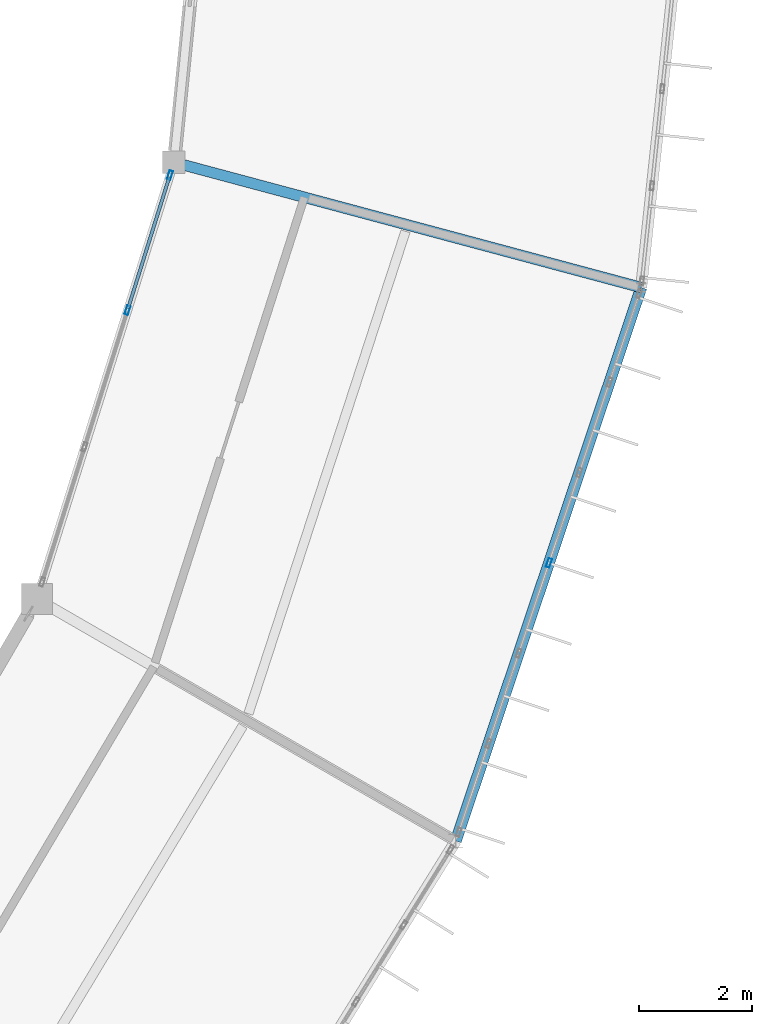
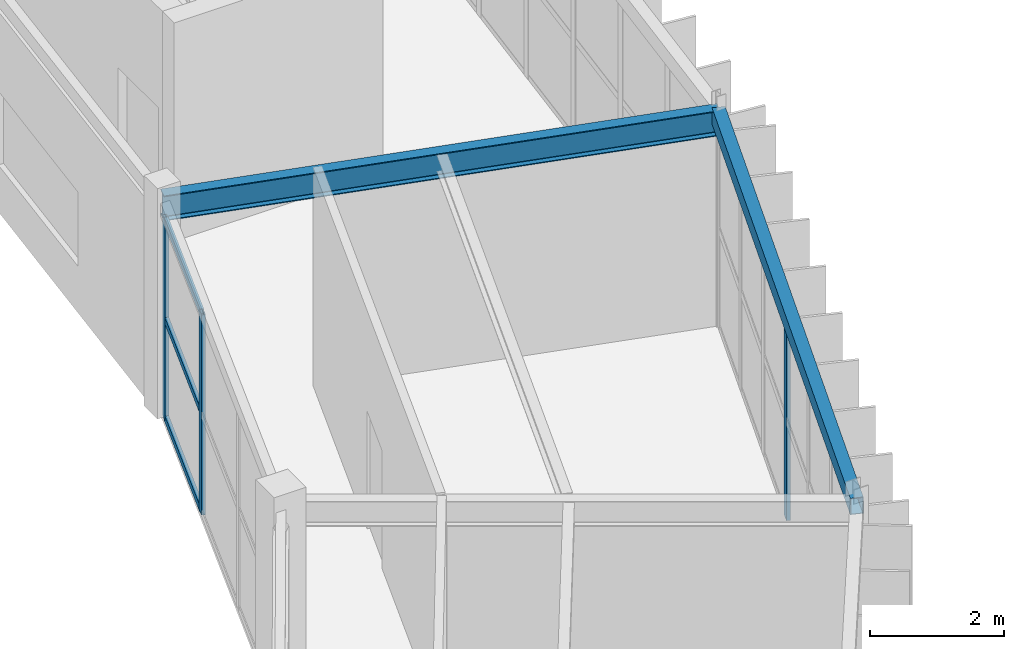
# One storey, part 70 of 157: 6 members, 2 beams, 2 elements without a shape of their own.
"""IFC4 building model written with IfcOpenShell, lengths in metres."""

from ifc_helpers import new_model, si_unit, direction, frame, origin, origin_2d, place, context, subcontext, project, spatial, hollow_rectangle, i_section, extrude, material, material_profile, profile_set, type_object, element, aggregate, save


model = new_model("IFC4")

# Units and contexts
model_context = context("Model", 3, precision=1e-05, world=origin(), true_north=direction((0.0, 1.0)))
body_context = subcontext(model_context, "Body", "Model", "MODEL_VIEW")
ifc_project = project(units=[si_unit("LENGTHUNIT", "METRE"), si_unit("AREAUNIT", "SQUARE_METRE"), si_unit("VOLUMEUNIT", "CUBIC_METRE"), si_unit("PLANEANGLEUNIT", "RADIAN"), si_unit("MASSUNIT", "GRAM", prefix="KILO")], contexts=[model_context])

# Site, building, storey
site_placement = place(None, origin())
site = spatial("IfcSite", under=ifc_project, at=site_placement, CompositionType="ELEMENT")
building_placement = place(site_placement, origin())
building = spatial("IfcBuilding", under=site, at=building_placement, Name="Karori Crest Natural Sciences Institute", CompositionType="ELEMENT")
storey_placement = place(building_placement, frame((0.0, 0.0, 13.300048828125)))
storey = spatial("IfcBuildingStorey", under=building, at=storey_placement, Name="L03", CompositionType="ELEMENT", Elevation=13.300048828125)

# Beams
ifc_material_1 = material(Name="Structural steel AS/NZS 3679.1 Grade 350", Category="steel")
ifc_material_profile_1 = material_profile(ifc_material_1, i_section(OverallWidth=0.19091796875, OverallDepth=0.4599609375, WebThickness=0.010009765625, FlangeThickness=0.01611328125, FilletRadius=0.010986328125, at=origin_2d()), Name="460UB82.1")
ifc_profile_set_1 = profile_set([ifc_material_profile_1], Name="Structural steel AS/NZS 3679.1 Grade 350")
beam_type_1 = type_object("IfcBeamType", Name="BT-06", PredefinedType="BEAM", material=ifc_profile_set_1)
beam_1_placement = place(storey_placement, frame((89.968505859375, 41.56591796875, 3.7099609375), z_axis=(0.96592752402, -0.258812709002, 0.0), x_axis=(0.258812709002, 0.96592752402, 0.0)))
element("IfcBeam", 1, at=beam_1_placement, inside=storey, type_object=beam_type_1, Name="Beam B-0450", PredefinedType="BEAM", context=body_context, shape_type="SweptSolid", body=[
    extrude(i_section(OverallWidth=0.19091796875, OverallDepth=0.4599609375, WebThickness=0.010009765625, FlangeThickness=0.01611328125, FilletRadius=0.010986328125, at=origin_2d()), origin(), (0.0, 0.0, 1.0), 8.60009765625),
])
ifc_material_2 = material(Name="Hollow structural steel AS/NZS 1163 Grade C350", Category="steel")
ifc_material_profile_2 = material_profile(ifc_material_2, hollow_rectangle(XDim=0.199951171875, YDim=0.300048828125, WallThickness=0.010009765625, at=origin_2d()), Name="RHS300x200x10")
ifc_profile_set_2 = profile_set([ifc_material_profile_2], Name="Hollow structural steel AS/NZS 1163 Grade C350")
beam_type_2 = type_object("IfcBeamType", Name="BT-15", PredefinedType="SPANDREL", material=ifc_profile_set_2)
beam_2_placement = place(storey_placement, frame((94.978759765625, 29.5, 3.7900390625), z_axis=(0.317688324477, 0.948195195353, 0.0), x_axis=(-0.948195195353, 0.317688324477, 0.0)))
element("IfcBeam", 2, at=beam_2_placement, inside=storey, type_object=beam_type_2, Name="Beam B-0444", PredefinedType="SPANDREL", context=body_context, shape_type="SweptSolid", body=[
    extrude(hollow_rectangle(XDim=0.199951171875, YDim=0.300048828125, WallThickness=0.010009765625, at=origin_2d()), origin(), (0.0, 0.0, 1.0), 10.377685546875),
])

# Curtain wall, member
ifc_material_3 = material(Name="Anodised architectural aluminium 6063-T6", Category="aluminium")
curtain_wall_type_1 = type_object("IfcCurtainWallType", Name="CWT-03", PredefinedType="NOTDEFINED", material=ifc_material_3)
curtain_wall_1_placement = place(storey_placement, origin())
curtain_wall_1 = element("IfcCurtainWall", 3, at=curtain_wall_1_placement, inside=storey, type_object=curtain_wall_type_1, Name="Curtain wall CW-0133", PredefinedType="NOTDEFINED")
ifc_material_profile_3 = material_profile(ifc_material_3, hollow_rectangle(XDim=0.06494140625, YDim=0.159912109375, WallThickness=0.00390625, at=origin_2d()), Name="CWM160x65x4")
ifc_profile_set_3 = profile_set([ifc_material_profile_3], Name="Anodised architectural aluminium 6063-T6")
member_type_1 = type_object("IfcMemberType", Name="CWM-01", PredefinedType="MULLION", material=ifc_profile_set_3)
member_1_placement = place(storey_placement, frame((96.635009765625, 34.443115234375, 0.0), z_axis=(0.0, 0.0, 1.0), x_axis=(0.94819805026, -0.317679803392, 0.0)))
member_1 = element("IfcMember", 4, at=member_1_placement, type_object=member_type_1, Name="CW-0133 mullion 4", PredefinedType="MULLION", context=body_context, shape_type="SweptSolid", body=[
    extrude(hollow_rectangle(XDim=0.06494140625, YDim=0.159912109375, WallThickness=0.00390625, at=origin_2d()), origin(), (0.0, 0.0, 1.0), 3.625),
])
aggregate(curtain_wall_1, [member_1])

# Curtain wall, members
curtain_wall_type_2 = type_object("IfcCurtainWallType", Name="CWT-13", PredefinedType="NOTDEFINED", material=ifc_material_3)
curtain_wall_2_placement = place(storey_placement, origin())
curtain_wall_2 = element("IfcCurtainWall", 5, at=curtain_wall_2_placement, inside=storey, type_object=curtain_wall_type_2, Name="Curtain wall CW-0134", PredefinedType="NOTDEFINED")
member_2_placement = place(storey_placement, frame((89.14306640625, 38.936279296875, 0.0), z_axis=(0.0, 0.0, 1.0), x_axis=(-0.954104067778, 0.299475254154, 0.0)))
member_2 = element("IfcMember", 6, at=member_2_placement, type_object=member_type_1, Name="CW-0134 mullion 3", PredefinedType="MULLION", context=body_context, shape_type="SweptSolid", body=[
    extrude(hollow_rectangle(XDim=0.06494140625, YDim=0.159912109375, WallThickness=0.00390625, at=origin_2d()), origin(), (0.0, 0.0, 1.0), 3.64990234375),
])
member_3_placement = place(storey_placement, frame((89.896728515625, 41.3369140625, 0.0), z_axis=(0.0, 0.0, 1.0), x_axis=(-0.954104067778, 0.299475254154, 0.0)))
member_3 = element("IfcMember", 7, at=member_3_placement, type_object=member_type_1, Name="CW-0134 mullion 4", PredefinedType="MULLION", context=body_context, shape_type="SweptSolid", body=[
    extrude(hollow_rectangle(XDim=0.06494140625, YDim=0.159912109375, WallThickness=0.00390625, at=origin_2d()), origin(), (0.0, 0.0, 1.0), 3.64990234375),
])
ifc_material_profile_4 = material_profile(ifc_material_3, hollow_rectangle(XDim=0.06005859375, YDim=0.1201171875, WallThickness=0.00390625, at=origin_2d()), Name="CWT120x60x4")
ifc_profile_set_4 = profile_set([ifc_material_profile_4], Name="Anodised architectural aluminium 6063-T6")
member_type_2 = type_object("IfcMemberType", Name="CWT-TR1", PredefinedType="USERDEFINED", material=ifc_profile_set_4)
member_4_placement = place(storey_placement, frame((89.15283203125, 38.96728515625, 0.030029296875), z_axis=(0.29950542383, 0.954094597562, 0.0), x_axis=(-0.954094597562, 0.29950542383, 0.0)))
member_4 = element("IfcMember", 8, at=member_4_placement, type_object=member_type_2, Name="CW-0134 transom 3.1", ObjectType="TRANSOM", PredefinedType="USERDEFINED", context=body_context, shape_type="SweptSolid", body=[
    extrude(hollow_rectangle(XDim=0.06005859375, YDim=0.1201171875, WallThickness=0.00390625, at=origin_2d()), origin(), (0.0, 0.0, 1.0), 2.451171875),
])
member_5_placement = place(storey_placement, frame((89.15283203125, 38.96728515625, 1.824951171875), z_axis=(0.29950542383, 0.954094597562, 0.0), x_axis=(-0.954094597562, 0.29950542383, 0.0)))
member_5 = element("IfcMember", 9, at=member_5_placement, type_object=member_type_2, Name="CW-0134 transom 3.2", ObjectType="TRANSOM", PredefinedType="USERDEFINED", context=body_context, shape_type="SweptSolid", body=[
    extrude(hollow_rectangle(XDim=0.06005859375, YDim=0.1201171875, WallThickness=0.00390625, at=origin_2d()), origin(), (0.0, 0.0, 1.0), 2.451171875),
])
member_6_placement = place(storey_placement, frame((89.15283203125, 38.96728515625, 3.619873046875), z_axis=(0.29950542383, 0.954094597562, 0.0), x_axis=(-0.954094597562, 0.29950542383, 0.0)))
member_6 = element("IfcMember", 10, at=member_6_placement, type_object=member_type_2, Name="CW-0134 transom 3.3", ObjectType="TRANSOM", PredefinedType="USERDEFINED", context=body_context, shape_type="SweptSolid", body=[
    extrude(hollow_rectangle(XDim=0.06005859375, YDim=0.1201171875, WallThickness=0.00390625, at=origin_2d()), origin(), (0.0, 0.0, 1.0), 2.451171875),
])
aggregate(curtain_wall_2, [member_2, member_3, member_4, member_5, member_6])

save(model, "model.ifc")
